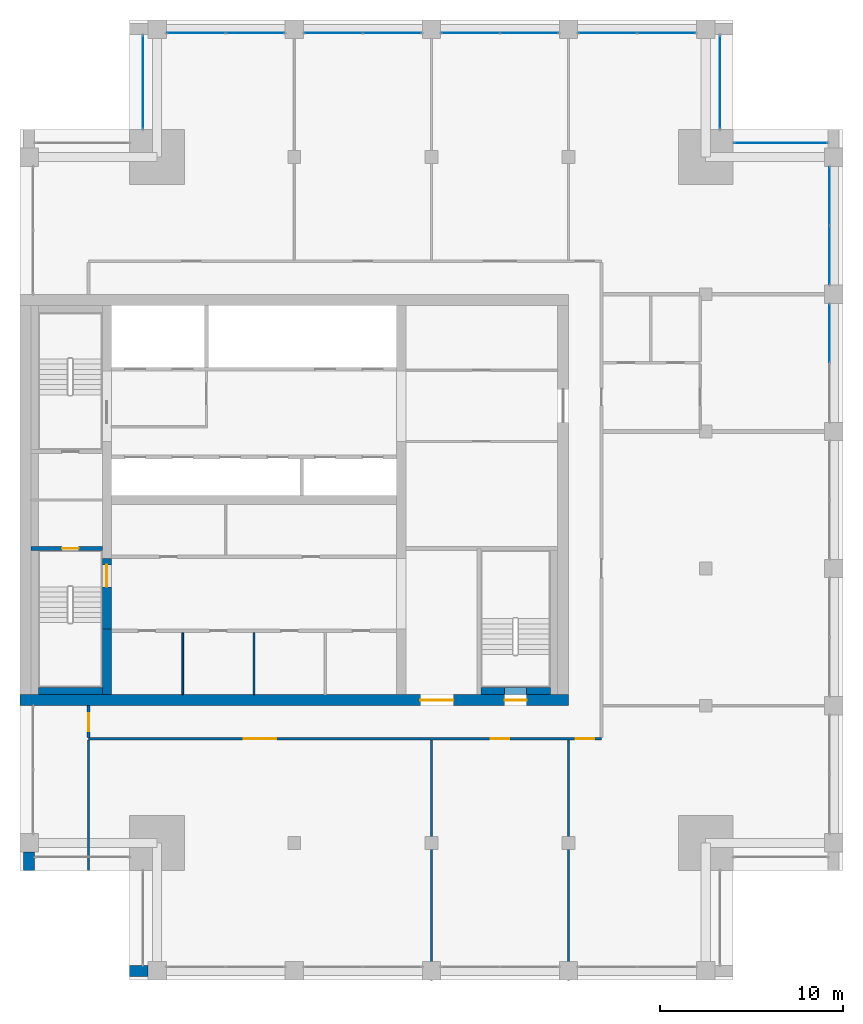
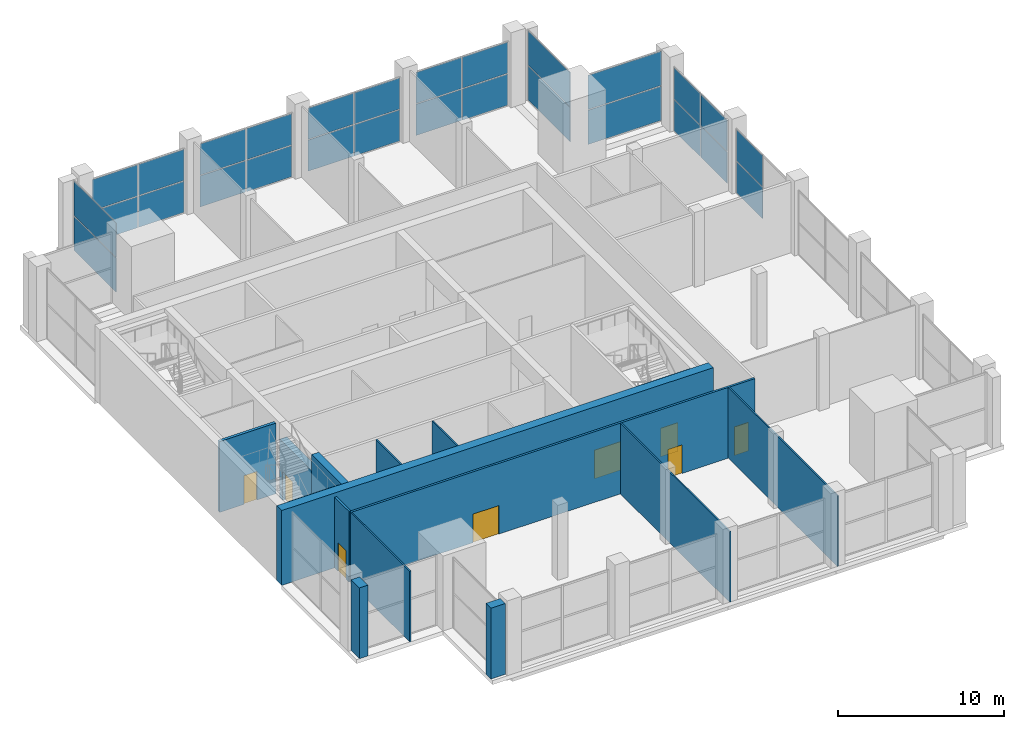
# One storey, part 8 of 15: 28 plates, 17 walls, 8 doors, 8 openings, 9 elements without a shape of their own.
"""IFC4 building model written with IfcOpenShell, lengths in metres."""

from ifc_helpers import new_model, si_unit, direction, frame, frame_2d, origin, origin_2d, place, context, subcontext, project, spatial, rectangle, extrude, material, layer, layer_set, type_object, element, fill, aggregate, save


model = new_model("IFC4")

# Units and contexts
model_context = context("Model", 3, precision=1e-05, world=origin(), true_north=direction((0.0, 1.0)))
body_context = subcontext(model_context, "Body", "Model", "MODEL_VIEW")
ifc_project = project(units=[si_unit("LENGTHUNIT", "METRE"), si_unit("AREAUNIT", "SQUARE_METRE"), si_unit("VOLUMEUNIT", "CUBIC_METRE"), si_unit("PLANEANGLEUNIT", "RADIAN"), si_unit("MASSUNIT", "GRAM", prefix="KILO")], contexts=[model_context])

# Site, building, storey
site_placement = place(None, origin())
site = spatial("IfcSite", under=ifc_project, at=site_placement, CompositionType="ELEMENT")
building_placement = place(site_placement, origin())
building = spatial("IfcBuilding", under=site, at=building_placement, Name="Tamorin Gate", CompositionType="ELEMENT")
storey_placement = place(building_placement, frame((0.0, 0.0, 292.199951171875)))
storey = spatial("IfcBuildingStorey", under=building, at=storey_placement, Name="L73", CompositionType="ELEMENT", Elevation=292.199951171875)

# Curtain wall, plates
ifc_material_1 = material(Name="Aluminium mullions and transoms with clear glass", Category="aluminium")
ifc_layer_1 = layer(ifc_material_1, 0.159912109375)
ifc_layer_set_1 = layer_set([ifc_layer_1], Name="Curtain wall system CW3")
curtain_wall_type = type_object("IfcCurtainWallType", Name="Curtain wall system CW3", PredefinedType="NOTDEFINED", material=ifc_layer_set_1)
curtain_wall_1_placement = place(storey_placement, origin())
curtain_wall_1 = element("IfcCurtainWall", 1, at=curtain_wall_1_placement, inside=storey, type_object=curtain_wall_type, Name="Curtain wall", PredefinedType="NOTDEFINED")
ifc_material_2 = material(Name="Clear glass", Category="glass")
ifc_layer_2 = layer(ifc_material_2, 0.028076171875)
ifc_layer_set_2 = layer_set([ifc_layer_2], Name="Clear glass panel IGU 28")
plate_type = type_object("IfcPlateType", Name="Clear glass panel IGU 28", PredefinedType="CURTAIN_PANEL", material=ifc_layer_set_2)
plate_1_placement = place(storey_placement, frame((74.280029296875, 80.360107421875, 0.06005859375), z_axis=(0.0, 0.0, 1.0), x_axis=(0.0, 1.0, 0.0)))
plate_1 = element("IfcPlate", 2, at=plate_1_placement, type_object=plate_type, Name="CW3 panel 2.1", PredefinedType="CURTAIN_PANEL", context=body_context, shape_type="SweptSolid", body=[
    extrude(rectangle(XDim=3.159912109375, YDim=0.028076171875, at=origin_2d()), origin(), (0.0, 0.0, 1.0), 2.284912109375),
])
plate_2_placement = place(storey_placement, frame((74.280029296875, 80.360107421875, 2.4052734375), z_axis=(0.0, 0.0, 1.0), x_axis=(0.0, 1.0, 0.0)))
plate_2 = element("IfcPlate", 3, at=plate_2_placement, type_object=plate_type, Name="CW3 panel 2.2", PredefinedType="CURTAIN_PANEL", context=body_context, shape_type="SweptSolid", body=[
    extrude(rectangle(XDim=3.159912109375, YDim=0.028076171875, at=origin_2d()), origin(), (0.0, 0.0, 1.0), 2.284912109375),
])
aggregate(curtain_wall_1, [plate_1, plate_2])

curtain_wall_2_placement = place(storey_placement, origin())
curtain_wall_2 = element("IfcCurtainWall", 4, at=curtain_wall_2_placement, inside=storey, type_object=curtain_wall_type, Name="Curtain wall", PredefinedType="NOTDEFINED")
plate_3_placement = place(storey_placement, frame((74.280029296875, 84.639892578125, 0.06005859375), z_axis=(0.0, 0.0, 1.0), x_axis=(0.0, 1.0, 0.0)))
plate_3 = element("IfcPlate", 5, at=plate_3_placement, type_object=plate_type, Name="CW3 panel 1.1", PredefinedType="CURTAIN_PANEL", context=body_context, shape_type="SweptSolid", body=[
    extrude(rectangle(XDim=3.159912109375, YDim=0.028076171875, at=origin_2d()), origin(), (0.0, 0.0, 1.0), 2.284912109375),
])
plate_4_placement = place(storey_placement, frame((74.280029296875, 84.639892578125, 2.4052734375), z_axis=(0.0, 0.0, 1.0), x_axis=(0.0, 1.0, 0.0)))
plate_4 = element("IfcPlate", 6, at=plate_4_placement, type_object=plate_type, Name="CW3 panel 1.2", PredefinedType="CURTAIN_PANEL", context=body_context, shape_type="SweptSolid", body=[
    extrude(rectangle(XDim=3.159912109375, YDim=0.028076171875, at=origin_2d()), origin(), (0.0, 0.0, 1.0), 2.284912109375),
])
plate_5_placement = place(storey_placement, frame((74.280029296875, 87.860107421875, 0.06005859375), z_axis=(0.0, 0.0, 1.0), x_axis=(0.0, 1.0, 0.0)))
plate_5 = element("IfcPlate", 7, at=plate_5_placement, type_object=plate_type, Name="CW3 panel 2.1", PredefinedType="CURTAIN_PANEL", context=body_context, shape_type="SweptSolid", body=[
    extrude(rectangle(XDim=3.159912109375, YDim=0.028076171875, at=origin_2d()), origin(), (0.0, 0.0, 1.0), 2.284912109375),
])
plate_6_placement = place(storey_placement, frame((74.280029296875, 87.860107421875, 2.4052734375), z_axis=(0.0, 0.0, 1.0), x_axis=(0.0, 1.0, 0.0)))
plate_6 = element("IfcPlate", 8, at=plate_6_placement, type_object=plate_type, Name="CW3 panel 2.2", PredefinedType="CURTAIN_PANEL", context=body_context, shape_type="SweptSolid", body=[
    extrude(rectangle(XDim=3.159912109375, YDim=0.028076171875, at=origin_2d()), origin(), (0.0, 0.0, 1.0), 2.284912109375),
])
aggregate(curtain_wall_2, [plate_3, plate_4, plate_5, plate_6])

curtain_wall_3_placement = place(storey_placement, origin())
curtain_wall_3 = element("IfcCurtainWall", 9, at=curtain_wall_3_placement, inside=storey, type_object=curtain_wall_type, Name="Curtain wall", PredefinedType="NOTDEFINED")
plate_7_placement = place(storey_placement, frame((71.60009765625, 90.780029296875, 0.06005859375), z_axis=(0.0, 0.0, 1.0), x_axis=(-1.0, 0.0, 0.0)))
plate_7 = element("IfcPlate", 10, at=plate_7_placement, type_object=plate_type, Name="CW3 panel 1.1", PredefinedType="CURTAIN_PANEL", context=body_context, shape_type="SweptSolid", body=[
    extrude(rectangle(XDim=5.080078125, YDim=0.028076171875, at=origin_2d()), origin(), (0.0, 0.0, 1.0), 2.510009765625),
])
plate_8_placement = place(storey_placement, frame((71.60009765625, 90.780029296875, 2.6298828125), z_axis=(0.0, 0.0, 1.0), x_axis=(-1.0, 0.0, 0.0)))
plate_8 = element("IfcPlate", 11, at=plate_8_placement, type_object=plate_type, Name="CW3 panel 1.2", PredefinedType="CURTAIN_PANEL", context=body_context, shape_type="SweptSolid", body=[
    extrude(rectangle(XDim=5.080078125, YDim=0.028076171875, at=origin_2d()), origin(), (0.0, 0.0, 1.0), 2.510009765625),
])
aggregate(curtain_wall_3, [plate_7, plate_8])

curtain_wall_4_placement = place(storey_placement, origin())
curtain_wall_4 = element("IfcCurtainWall", 12, at=curtain_wall_4_placement, inside=storey, type_object=curtain_wall_type, Name="Curtain wall", PredefinedType="NOTDEFINED")
plate_9_placement = place(storey_placement, frame((68.280029296875, 94.10009765625, 0.06005859375), z_axis=(0.0, 0.0, 1.0), x_axis=(0.0, 1.0, 0.0)))
plate_9 = element("IfcPlate", 13, at=plate_9_placement, type_object=plate_type, Name="CW3 panel 1.1", PredefinedType="CURTAIN_PANEL", context=body_context, shape_type="SweptSolid", body=[
    extrude(rectangle(XDim=5.080078125, YDim=0.028076171875, at=origin_2d()), origin(), (0.0, 0.0, 1.0), 2.510009765625),
])
plate_10_placement = place(storey_placement, frame((68.280029296875, 94.10009765625, 2.6298828125), z_axis=(0.0, 0.0, 1.0), x_axis=(0.0, 1.0, 0.0)))
plate_10 = element("IfcPlate", 14, at=plate_10_placement, type_object=plate_type, Name="CW3 panel 1.2", PredefinedType="CURTAIN_PANEL", context=body_context, shape_type="SweptSolid", body=[
    extrude(rectangle(XDim=5.080078125, YDim=0.028076171875, at=origin_2d()), origin(), (0.0, 0.0, 1.0), 2.510009765625),
])
aggregate(curtain_wall_4, [plate_9, plate_10])

curtain_wall_5_placement = place(storey_placement, origin())
curtain_wall_5 = element("IfcCurtainWall", 15, at=curtain_wall_5_placement, inside=storey, type_object=curtain_wall_type, Name="Curtain wall", PredefinedType="NOTDEFINED")
plate_11_placement = place(storey_placement, frame((65.360107421875, 96.780029296875, 0.06005859375), z_axis=(0.0, 0.0, 1.0), x_axis=(-1.0, 0.0, 0.0)))
plate_11 = element("IfcPlate", 16, at=plate_11_placement, type_object=plate_type, Name="CW3 panel 1.1", PredefinedType="CURTAIN_PANEL", context=body_context, shape_type="SweptSolid", body=[
    extrude(rectangle(XDim=3.159912109375, YDim=0.028076171875, at=origin_2d()), origin(), (0.0, 0.0, 1.0), 2.284912109375),
])
plate_12_placement = place(storey_placement, frame((65.360107421875, 96.780029296875, 2.4052734375), z_axis=(0.0, 0.0, 1.0), x_axis=(-1.0, 0.0, 0.0)))
plate_12 = element("IfcPlate", 17, at=plate_12_placement, type_object=plate_type, Name="CW3 panel 1.2", PredefinedType="CURTAIN_PANEL", context=body_context, shape_type="SweptSolid", body=[
    extrude(rectangle(XDim=3.159912109375, YDim=0.028076171875, at=origin_2d()), origin(), (0.0, 0.0, 1.0), 2.284912109375),
])
plate_13_placement = place(storey_placement, frame((62.139892578125, 96.780029296875, 0.06005859375), z_axis=(0.0, 0.0, 1.0), x_axis=(-1.0, 0.0, 0.0)))
plate_13 = element("IfcPlate", 18, at=plate_13_placement, type_object=plate_type, Name="CW3 panel 2.1", PredefinedType="CURTAIN_PANEL", context=body_context, shape_type="SweptSolid", body=[
    extrude(rectangle(XDim=3.159912109375, YDim=0.028076171875, at=origin_2d()), origin(), (0.0, 0.0, 1.0), 2.284912109375),
])
plate_14_placement = place(storey_placement, frame((62.139892578125, 96.780029296875, 2.4052734375), z_axis=(0.0, 0.0, 1.0), x_axis=(-1.0, 0.0, 0.0)))
plate_14 = element("IfcPlate", 19, at=plate_14_placement, type_object=plate_type, Name="CW3 panel 2.2", PredefinedType="CURTAIN_PANEL", context=body_context, shape_type="SweptSolid", body=[
    extrude(rectangle(XDim=3.159912109375, YDim=0.028076171875, at=origin_2d()), origin(), (0.0, 0.0, 1.0), 2.284912109375),
])
aggregate(curtain_wall_5, [plate_11, plate_12, plate_13, plate_14])

curtain_wall_6_placement = place(storey_placement, origin())
curtain_wall_6 = element("IfcCurtainWall", 20, at=curtain_wall_6_placement, inside=storey, type_object=curtain_wall_type, Name="Curtain wall", PredefinedType="NOTDEFINED")
plate_15_placement = place(storey_placement, frame((57.860107421875, 96.780029296875, 0.06005859375), z_axis=(0.0, 0.0, 1.0), x_axis=(-1.0, 0.0, 0.0)))
plate_15 = element("IfcPlate", 21, at=plate_15_placement, type_object=plate_type, Name="CW3 panel 1.1", PredefinedType="CURTAIN_PANEL", context=body_context, shape_type="SweptSolid", body=[
    extrude(rectangle(XDim=3.159912109375, YDim=0.028076171875, at=origin_2d()), origin(), (0.0, 0.0, 1.0), 2.284912109375),
])
plate_16_placement = place(storey_placement, frame((57.860107421875, 96.780029296875, 2.4052734375), z_axis=(0.0, 0.0, 1.0), x_axis=(-1.0, 0.0, 0.0)))
plate_16 = element("IfcPlate", 22, at=plate_16_placement, type_object=plate_type, Name="CW3 panel 1.2", PredefinedType="CURTAIN_PANEL", context=body_context, shape_type="SweptSolid", body=[
    extrude(rectangle(XDim=3.159912109375, YDim=0.028076171875, at=origin_2d()), origin(), (0.0, 0.0, 1.0), 2.284912109375),
])
plate_17_placement = place(storey_placement, frame((54.639892578125, 96.780029296875, 0.06005859375), z_axis=(0.0, 0.0, 1.0), x_axis=(-1.0, 0.0, 0.0)))
plate_17 = element("IfcPlate", 23, at=plate_17_placement, type_object=plate_type, Name="CW3 panel 2.1", PredefinedType="CURTAIN_PANEL", context=body_context, shape_type="SweptSolid", body=[
    extrude(rectangle(XDim=3.159912109375, YDim=0.028076171875, at=origin_2d()), origin(), (0.0, 0.0, 1.0), 2.284912109375),
])
plate_18_placement = place(storey_placement, frame((54.639892578125, 96.780029296875, 2.4052734375), z_axis=(0.0, 0.0, 1.0), x_axis=(-1.0, 0.0, 0.0)))
plate_18 = element("IfcPlate", 24, at=plate_18_placement, type_object=plate_type, Name="CW3 panel 2.2", PredefinedType="CURTAIN_PANEL", context=body_context, shape_type="SweptSolid", body=[
    extrude(rectangle(XDim=3.159912109375, YDim=0.028076171875, at=origin_2d()), origin(), (0.0, 0.0, 1.0), 2.284912109375),
])
aggregate(curtain_wall_6, [plate_15, plate_16, plate_17, plate_18])

curtain_wall_7_placement = place(storey_placement, origin())
curtain_wall_7 = element("IfcCurtainWall", 25, at=curtain_wall_7_placement, inside=storey, type_object=curtain_wall_type, Name="Curtain wall", PredefinedType="NOTDEFINED")
plate_19_placement = place(storey_placement, frame((50.360107421875, 96.780029296875, 0.06005859375), z_axis=(0.0, 0.0, 1.0), x_axis=(-1.0, 0.0, 0.0)))
plate_19 = element("IfcPlate", 26, at=plate_19_placement, type_object=plate_type, Name="CW3 panel 1.1", PredefinedType="CURTAIN_PANEL", context=body_context, shape_type="SweptSolid", body=[
    extrude(rectangle(XDim=3.159912109375, YDim=0.028076171875, at=origin_2d()), origin(), (0.0, 0.0, 1.0), 2.284912109375),
])
plate_20_placement = place(storey_placement, frame((50.360107421875, 96.780029296875, 2.4052734375), z_axis=(0.0, 0.0, 1.0), x_axis=(-1.0, 0.0, 0.0)))
plate_20 = element("IfcPlate", 27, at=plate_20_placement, type_object=plate_type, Name="CW3 panel 1.2", PredefinedType="CURTAIN_PANEL", context=body_context, shape_type="SweptSolid", body=[
    extrude(rectangle(XDim=3.159912109375, YDim=0.028076171875, at=origin_2d()), origin(), (0.0, 0.0, 1.0), 2.284912109375),
])
plate_21_placement = place(storey_placement, frame((47.139892578125, 96.780029296875, 0.06005859375), z_axis=(0.0, 0.0, 1.0), x_axis=(-1.0, 0.0, 0.0)))
plate_21 = element("IfcPlate", 28, at=plate_21_placement, type_object=plate_type, Name="CW3 panel 2.1", PredefinedType="CURTAIN_PANEL", context=body_context, shape_type="SweptSolid", body=[
    extrude(rectangle(XDim=3.159912109375, YDim=0.028076171875, at=origin_2d()), origin(), (0.0, 0.0, 1.0), 2.284912109375),
])
plate_22_placement = place(storey_placement, frame((47.139892578125, 96.780029296875, 2.4052734375), z_axis=(0.0, 0.0, 1.0), x_axis=(-1.0, 0.0, 0.0)))
plate_22 = element("IfcPlate", 29, at=plate_22_placement, type_object=plate_type, Name="CW3 panel 2.2", PredefinedType="CURTAIN_PANEL", context=body_context, shape_type="SweptSolid", body=[
    extrude(rectangle(XDim=3.159912109375, YDim=0.028076171875, at=origin_2d()), origin(), (0.0, 0.0, 1.0), 2.284912109375),
])
aggregate(curtain_wall_7, [plate_19, plate_20, plate_21, plate_22])

curtain_wall_8_placement = place(storey_placement, origin())
curtain_wall_8 = element("IfcCurtainWall", 30, at=curtain_wall_8_placement, inside=storey, type_object=curtain_wall_type, Name="Curtain wall", PredefinedType="NOTDEFINED")
plate_23_placement = place(storey_placement, frame((42.860107421875, 96.780029296875, 0.06005859375), z_axis=(0.0, 0.0, 1.0), x_axis=(-1.0, 0.0, 0.0)))
plate_23 = element("IfcPlate", 31, at=plate_23_placement, type_object=plate_type, Name="CW3 panel 1.1", PredefinedType="CURTAIN_PANEL", context=body_context, shape_type="SweptSolid", body=[
    extrude(rectangle(XDim=3.159912109375, YDim=0.028076171875, at=origin_2d()), origin(), (0.0, 0.0, 1.0), 2.284912109375),
])
plate_24_placement = place(storey_placement, frame((42.860107421875, 96.780029296875, 2.4052734375), z_axis=(0.0, 0.0, 1.0), x_axis=(-1.0, 0.0, 0.0)))
plate_24 = element("IfcPlate", 32, at=plate_24_placement, type_object=plate_type, Name="CW3 panel 1.2", PredefinedType="CURTAIN_PANEL", context=body_context, shape_type="SweptSolid", body=[
    extrude(rectangle(XDim=3.159912109375, YDim=0.028076171875, at=origin_2d()), origin(), (0.0, 0.0, 1.0), 2.284912109375),
])
plate_25_placement = place(storey_placement, frame((39.639892578125, 96.780029296875, 0.06005859375), z_axis=(0.0, 0.0, 1.0), x_axis=(-1.0, 0.0, 0.0)))
plate_25 = element("IfcPlate", 33, at=plate_25_placement, type_object=plate_type, Name="CW3 panel 2.1", PredefinedType="CURTAIN_PANEL", context=body_context, shape_type="SweptSolid", body=[
    extrude(rectangle(XDim=3.159912109375, YDim=0.028076171875, at=origin_2d()), origin(), (0.0, 0.0, 1.0), 2.284912109375),
])
plate_26_placement = place(storey_placement, frame((39.639892578125, 96.780029296875, 2.4052734375), z_axis=(0.0, 0.0, 1.0), x_axis=(-1.0, 0.0, 0.0)))
plate_26 = element("IfcPlate", 34, at=plate_26_placement, type_object=plate_type, Name="CW3 panel 2.2", PredefinedType="CURTAIN_PANEL", context=body_context, shape_type="SweptSolid", body=[
    extrude(rectangle(XDim=3.159912109375, YDim=0.028076171875, at=origin_2d()), origin(), (0.0, 0.0, 1.0), 2.284912109375),
])
aggregate(curtain_wall_8, [plate_23, plate_24, plate_25, plate_26])

curtain_wall_9_placement = place(storey_placement, origin())
curtain_wall_9 = element("IfcCurtainWall", 35, at=curtain_wall_9_placement, inside=storey, type_object=curtain_wall_type, Name="Curtain wall", PredefinedType="NOTDEFINED")
plate_27_placement = place(storey_placement, frame((36.719970703125, 94.10009765625, 0.06005859375), z_axis=(0.0, 0.0, 1.0), x_axis=(0.0, -1.0, 0.0)))
plate_27 = element("IfcPlate", 36, at=plate_27_placement, type_object=plate_type, Name="CW3 panel 1.1", PredefinedType="CURTAIN_PANEL", context=body_context, shape_type="SweptSolid", body=[
    extrude(rectangle(XDim=5.080078125, YDim=0.028076171875, at=origin_2d()), origin(), (0.0, 0.0, 1.0), 2.510009765625),
])
plate_28_placement = place(storey_placement, frame((36.719970703125, 94.10009765625, 2.6298828125), z_axis=(0.0, 0.0, 1.0), x_axis=(0.0, -1.0, 0.0)))
plate_28 = element("IfcPlate", 37, at=plate_28_placement, type_object=plate_type, Name="CW3 panel 1.2", PredefinedType="CURTAIN_PANEL", context=body_context, shape_type="SweptSolid", body=[
    extrude(rectangle(XDim=5.080078125, YDim=0.028076171875, at=origin_2d()), origin(), (0.0, 0.0, 1.0), 2.510009765625),
])
aggregate(curtain_wall_9, [plate_27, plate_28])

# Walls
ifc_material_3 = material(Name="Precast concrete C40/50", Category="concrete")
ifc_layer_3 = layer(ifc_material_3, 0.60009765625)
ifc_layer_set_3 = layer_set([ifc_layer_3], Name="Precast concrete C40/50")
wall_type_1 = type_object("IfcWallType", Name="Board-marked concrete facade panel 600", PredefinedType="SOLIDWALL", material=ifc_layer_set_3)
for number, where, z_axis, x_axis, name in (
    (38, (36.0, 45.5, 0.0), (0.0, 0.0, 1.0), (1.0, 0.0, 0.0), "Facade panel"),
    (39, (30.5, 52.0, 0.0), (0.0, 0.0, 1.0), (0.0, -1.0, 0.0), "Facade panel"),
):
    element("IfcWall", number, at=place(storey_placement, frame(where, z_axis=z_axis, x_axis=x_axis)), inside=storey, type_object=wall_type_1, Name=name, PredefinedType="SOLIDWALL", context=body_context, shape_type="SweptSolid", body=[
        extrude(rectangle(XDim=1.0, YDim=0.60009765625, at=frame_2d((0.5, 0.0))), origin(), (0.0, 0.0, 1.0), 5.199951171875),
    ])

# Wall, openings, doors
ifc_material_4 = material(Name="Gypsum board partition")
ifc_layer_4 = layer(ifc_material_4, 0.14990234375)
ifc_layer_set_4 = layer_set([ifc_layer_4], Name="Corridor wall 150")
wall_type_2 = type_object("IfcWallType", Name="Corridor wall 150", PredefinedType="PARTITIONING", material=ifc_layer_set_4)
wall_1_placement = place(storey_placement, frame((33.75, 58.199951171875, 0.0), z_axis=(0.0, 0.0, 1.0), x_axis=(1.0, 0.0, 0.0)))
wall_1 = element("IfcWall", 40, at=wall_1_placement, inside=storey, type_object=wall_type_2, Name="Corridor wall 150", PredefinedType="PARTITIONING", context=body_context, shape_type="SweptSolid", body=[
    extrude(rectangle(XDim=28.050048828125, YDim=0.14990234375, at=frame_2d((14.02490234375, 0.0))), origin(), (0.0, 0.0, 1.0), 5.199951171875),
])
opening_1_placement = place(wall_1_placement, frame((8.47509765625, 0.0, 0.0)))
opening_1 = element("IfcOpeningElement", 41, at=opening_1_placement, cuts=wall_1, Name="Opening DSR1002", PredefinedType="OPENING", context=body_context, shape_type="SweptSolid", body=[
    extrude(rectangle(XDim=1.800048828125, YDim=2.10009765625, at=frame_2d((0.89990234375, 1.050048828125))), frame((0.0, 0.0849609375, 0.0), z_axis=(0.0, -1.0, 0.0), x_axis=(1.0, 0.0, 0.0)), (0.0, 0.0, 1.0), 0.169921875),
])
opening_2_placement = place(wall_1_placement, frame((22.0, 0.0, 0.0)))
opening_2 = element("IfcOpeningElement", 42, at=opening_2_placement, cuts=wall_1, Name="Opening DSR1003", PredefinedType="OPENING", context=body_context, shape_type="SweptSolid", body=[
    extrude(rectangle(XDim=1.0, YDim=2.10009765625, at=frame_2d((0.5, 1.050048828125))), frame((0.0, 0.0849609375, 0.0), z_axis=(0.0, -1.0, 0.0), x_axis=(1.0, 0.0, 0.0)), (0.0, 0.0, 1.0), 0.169921875),
])
opening_3_placement = place(wall_1_placement, frame((26.64990234375, 0.0, 0.0)))
opening_3 = element("IfcOpeningElement", 43, at=opening_3_placement, cuts=wall_1, Name="Opening DSR1004", PredefinedType="OPENING", context=body_context, shape_type="SweptSolid", body=[
    extrude(rectangle(XDim=1.0, YDim=2.10009765625, at=frame_2d((0.5, 1.050048828125))), frame((0.0, 0.0849609375, 0.0), z_axis=(0.0, -1.0, 0.0), x_axis=(1.0, 0.0, 0.0)), (0.0, 0.0, 1.0), 0.169921875),
])
ifc_material_5 = material(Name="Timber door leaf", Category="wood")
door_type_1 = type_object("IfcDoorType", Name="Door 1000 x 2100 FD30S", OperationType="NOTDEFINED", PredefinedType="DOOR", material=ifc_material_5)
door_1_placement = place(opening_2_placement, origin())
door_1 = element("IfcDoor", 44, at=door_1_placement, inside=storey, type_object=door_type_1, Name="Door DSR1003", OperationType="SINGLE_SWING_RIGHT", OverallHeight=2.10009765625, OverallWidth=1.0, PredefinedType="DOOR", context=body_context, shape_type="SweptSolid", body=[
    extrude(rectangle(XDim=1.0, YDim=2.10009765625, at=frame_2d((0.5, 1.050048828125))), frame((0.0, 0.02490234375, 0.0), z_axis=(0.0, -1.0, 0.0), x_axis=(1.0, 0.0, 0.0)), (0.0, 0.0, 1.0), 0.050048828125),
])
fill(opening_2, door_1)
door_2_placement = place(opening_3_placement, origin())
door_2 = element("IfcDoor", 45, at=door_2_placement, inside=storey, type_object=door_type_1, Name="Door DSR1004", OperationType="SINGLE_SWING_RIGHT", OverallHeight=2.10009765625, OverallWidth=1.0, PredefinedType="DOOR", context=body_context, shape_type="SweptSolid", body=[
    extrude(rectangle(XDim=1.0, YDim=2.10009765625, at=frame_2d((0.5, 1.050048828125))), frame((0.0, 0.02490234375, 0.0), z_axis=(0.0, -1.0, 0.0), x_axis=(1.0, 0.0, 0.0)), (0.0, 0.0, 1.0), 0.050048828125),
])
fill(opening_3, door_2)
door_type_2 = type_object("IfcDoorType", Name="Door 1800 x 2100 FD30S", OperationType="DOUBLE_DOOR_SINGLE_SWING", PredefinedType="DOOR", material=ifc_material_5)
door_3_placement = place(opening_1_placement, origin())
door_3 = element("IfcDoor", 46, at=door_3_placement, inside=storey, type_object=door_type_2, Name="Door DSR1002", OperationType="DOUBLE_DOOR_SINGLE_SWING", OverallHeight=2.10009765625, OverallWidth=1.800048828125, PredefinedType="DOOR", context=body_context, shape_type="SweptSolid", body=[
    extrude(rectangle(XDim=1.800048828125, YDim=2.10009765625, at=frame_2d((0.89990234375, 1.050048828125))), frame((0.0, 0.02490234375, 0.0), z_axis=(0.0, -1.0, 0.0), x_axis=(1.0, 0.0, 0.0)), (0.0, 0.0, 1.0), 0.050048828125),
])
fill(opening_1, door_3)

# Wall, opening, door
wall_2_placement = place(storey_placement, frame((33.75, 58.27490234375, 0.0), z_axis=(0.0, 0.0, 1.0), x_axis=(0.0, 1.0, 0.0)))
wall_2 = element("IfcWall", 47, at=wall_2_placement, inside=storey, type_object=wall_type_2, Name="Corridor wall 150", PredefinedType="PARTITIONING", context=body_context, shape_type="SweptSolid", body=[
    extrude(rectangle(XDim=1.72509765625, YDim=0.14990234375, at=frame_2d((0.862548828125, 0.0))), origin(), (0.0, 0.0, 1.0), 5.199951171875),
])
opening_4_placement = place(wall_2_placement, frame((0.324951171875, 0.0, 0.0)))
opening_4 = element("IfcOpeningElement", 48, at=opening_4_placement, cuts=wall_2, Name="Opening DSR1001", PredefinedType="OPENING", context=body_context, shape_type="SweptSolid", body=[
    extrude(rectangle(XDim=1.0, YDim=2.10009765625, at=frame_2d((0.5, 1.050048828125))), frame((0.0, 0.0849609375, 0.0), z_axis=(0.0, -1.0, 0.0), x_axis=(1.0, 0.0, 0.0)), (0.0, 0.0, 1.0), 0.169921875),
])
door_4_placement = place(opening_4_placement, origin())
door_4 = element("IfcDoor", 49, at=door_4_placement, inside=storey, type_object=door_type_1, Name="Door DSR1001", OperationType="SINGLE_SWING_RIGHT", OverallHeight=2.10009765625, OverallWidth=1.0, PredefinedType="DOOR", context=body_context, shape_type="SweptSolid", body=[
    extrude(rectangle(XDim=1.0, YDim=2.10009765625, at=frame_2d((0.5, 1.050048828125))), frame((0.0, 0.02490234375, 0.0), z_axis=(0.0, -1.0, 0.0), x_axis=(1.0, 0.0, 0.0)), (0.0, 0.0, 1.0), 0.050048828125),
])
fill(opening_4, door_4)

# Wall
ifc_material_6 = material(Name="Concrete C50/60", Category="concrete")
ifc_layer_5 = layer(ifc_material_6, 0.5)
ifc_layer_set_5 = layer_set([ifc_layer_5], Name="RC core internal wall 500 C50/60")
wall_type_3 = type_object("IfcWallType", Name="RC core internal wall 500 C50/60", PredefinedType="SHEAR", material=ifc_layer_set_5)
wall_3_placement = place(storey_placement, frame((34.75, 60.60009765625, 0.0), z_axis=(0.0, 0.0, 1.0), x_axis=(0.0, 1.0, 0.0)))
element("IfcWall", 50, at=wall_3_placement, inside=storey, type_object=wall_type_3, Name="Core cross wall L73", PredefinedType="SHEAR", context=body_context, shape_type="SweptSolid", body=[
    extrude(rectangle(XDim=3.599853515625, YDim=0.5, at=frame_2d((1.7998046875, 0.0))), origin(), (0.0, 0.0, 1.0), 5.5),
])

# Wall, openings, doors
ifc_layer_6 = layer(ifc_material_6, 0.60009765625)
ifc_layer_set_6 = layer_set([ifc_layer_6], Name="RC core wall 600 C50/60")
wall_type_4 = type_object("IfcWallType", Name="RC core wall 600 C50/60", PredefinedType="SHEAR", material=ifc_layer_set_6)
wall_4_placement = place(storey_placement, frame((30.0, 60.300048828125, 0.0), z_axis=(0.0, 0.0, 1.0), x_axis=(1.0, 0.0, 0.0)))
wall_4 = element("IfcWall", 51, at=wall_4_placement, inside=storey, type_object=wall_type_4, Name="Core wall L73", PredefinedType="SHEAR", context=body_context, shape_type="SweptSolid", body=[
    extrude(rectangle(XDim=30.0, YDim=0.60009765625, at=frame_2d((15.0, 0.0))), origin(), (0.0, 0.0, 1.0), 5.5),
])
opening_5_placement = place(wall_4_placement, frame((21.89990234375, 0.0, 0.0)))
opening_5 = element("IfcOpeningElement", 52, at=opening_5_placement, cuts=wall_4, Name="Opening DE1", PredefinedType="OPENING", context=body_context, shape_type="SweptSolid", body=[
    extrude(rectangle(XDim=1.800048828125, YDim=2.10009765625, at=frame_2d((0.89990234375, 1.050048828125))), frame((0.0, 0.31005859375, 0.0), z_axis=(0.0, -1.0, 0.0), x_axis=(1.0, 0.0, 0.0)), (0.0, 0.0, 1.0), 0.6201171875),
])
opening_6_placement = place(wall_4_placement, frame((26.5, 0.0, 0.0)))
opening_6 = element("IfcOpeningElement", 53, at=opening_6_placement, cuts=wall_4, Name="Opening DS1", PredefinedType="OPENING", context=body_context, shape_type="SweptSolid", body=[
    extrude(rectangle(XDim=1.199951171875, YDim=2.10009765625, at=frame_2d((0.60009765625, 1.050048828125))), frame((0.0, 0.31005859375, 0.0), z_axis=(0.0, -1.0, 0.0), x_axis=(1.0, 0.0, 0.0)), (0.0, 0.0, 1.0), 0.6201171875),
])
ifc_material_7 = material(Name="Steel fire door", Category="steel")
door_type_3 = type_object("IfcDoorType", Name="Lobby exit double door 1800 x 2100 EI 60", OperationType="DOUBLE_DOOR_SINGLE_SWING", PredefinedType="DOOR", material=ifc_material_7)
door_5_placement = place(opening_5_placement, origin())
door_5 = element("IfcDoor", 54, at=door_5_placement, inside=storey, type_object=door_type_3, Name="Lift lobby A exit door", OperationType="DOUBLE_DOOR_SINGLE_SWING", OverallHeight=2.10009765625, OverallWidth=1.800048828125, PredefinedType="DOOR", context=body_context, shape_type="SweptSolid", body=[
    extrude(rectangle(XDim=1.800048828125, YDim=2.10009765625, at=frame_2d((0.89990234375, 1.050048828125))), frame((0.0, 0.02490234375, 0.0), z_axis=(0.0, -1.0, 0.0), x_axis=(1.0, 0.0, 0.0)), (0.0, 0.0, 1.0), 0.050048828125),
])
fill(opening_5, door_5)
door_type_4 = type_object("IfcDoorType", Name="Stair door 1200 x 2100 EI 90", OperationType="SINGLE_SWING_LEFT", PredefinedType="DOOR", material=ifc_material_7)
door_6_placement = place(opening_6_placement, origin())
door_6 = element("IfcDoor", 55, at=door_6_placement, inside=storey, type_object=door_type_4, Name="ST3 door", OperationType="SINGLE_SWING_LEFT", OverallHeight=2.10009765625, OverallWidth=1.199951171875, PredefinedType="DOOR", context=body_context, shape_type="SweptSolid", body=[
    extrude(rectangle(XDim=1.199951171875, YDim=2.10009765625, at=frame_2d((0.60009765625, 1.050048828125))), frame((0.0, 0.02490234375, 0.0), z_axis=(0.0, -1.0, 0.0), x_axis=(1.0, 0.0, 0.0)), (0.0, 0.0, 1.0), 0.050048828125),
])
fill(opening_6, door_6)

# Walls
ifc_layer_7 = layer(ifc_material_4, 0.10009765625)
ifc_layer_set_7 = layer_set([ifc_layer_7], Name="Room partition 100")
wall_type_5 = type_object("IfcWallType", Name="Room partition 100", PredefinedType="PARTITIONING", material=ifc_layer_set_7)
wall_5_placement = place(storey_placement, frame((33.75, 51.0, 0.0), z_axis=(0.0, 0.0, 1.0), x_axis=(0.0, 1.0, 0.0)))
element("IfcWall", 56, at=wall_5_placement, inside=storey, type_object=wall_type_5, Name="Room partition 100", PredefinedType="PARTITIONING", context=body_context, shape_type="SweptSolid", body=[
    extrude(rectangle(XDim=7.125, YDim=0.10009765625, at=frame_2d((3.5625, 0.0))), origin(), (0.0, 0.0, 1.0), 5.199951171875),
])
for number, where, z_axis, x_axis, name in (
    (57, (52.5, 45.0, 0.0), (0.0, 0.0, 1.0), (0.0, 1.0, 0.0), "Room partition 100"),
    (58, (60.0, 45.0, 0.0), (0.0, 0.0, 1.0), (0.0, 1.0, 0.0), "Room partition 100"),
):
    element("IfcWall", number, at=place(storey_placement, frame(where, z_axis=z_axis, x_axis=x_axis)), inside=storey, type_object=wall_type_5, Name=name, PredefinedType="PARTITIONING", context=body_context, shape_type="SweptSolid", body=[
        extrude(rectangle(XDim=13.125, YDim=0.10009765625, at=frame_2d((6.5625, 0.0))), origin(), (0.0, 0.0, 1.0), 5.199951171875),
    ])
ifc_layer_8 = layer(ifc_material_4, 0.10009765625)
ifc_layer_set_8 = layer_set([ifc_layer_8], Name="Service room partition 100 EI 60")
wall_type_6 = type_object("IfcWallType", Name="Service room partition 100 EI 60", PredefinedType="PARTITIONING", material=ifc_layer_set_8)
for number, where, z_axis, x_axis, name in (
    (59, (38.89990234375, 60.60009765625, 0.0), (0.0, 0.0, 1.0), (0.0, 1.0, 0.0), "Service room partition"),
    (60, (42.800048828125, 60.60009765625, 0.0), (0.0, 0.0, 1.0), (0.0, 1.0, 0.0), "Service room partition"),
):
    element("IfcWall", number, at=place(storey_placement, frame(where, z_axis=z_axis, x_axis=x_axis)), inside=storey, type_object=wall_type_6, Name=name, PredefinedType="PARTITIONING", context=body_context, shape_type="SweptSolid", body=[
        extrude(rectangle(XDim=3.39990234375, YDim=0.10009765625, at=frame_2d((1.699951171875, 0.0))), origin(), (0.0, 0.0, 1.0), 5.199951171875),
    ])

# Wall, opening, door
ifc_material_8 = material(Name="Concrete C40/50", Category="concrete")
ifc_layer_9 = layer(ifc_material_8, 0.199951171875)
ifc_layer_set_9 = layer_set([ifc_layer_9], Name="Stair enclosure wall 200 EI 120 C40/50")
wall_type_7 = type_object("IfcWallType", Name="Stair enclosure wall 200 EI 120 C40/50", PredefinedType="SOLIDWALL", material=ifc_layer_set_9)
wall_6_placement = place(storey_placement, frame((30.60009765625, 68.60009765625, 0.0), z_axis=(0.0, 0.0, 1.0), x_axis=(1.0, 0.0, 0.0)))
wall_6 = element("IfcWall", 61, at=wall_6_placement, inside=storey, type_object=wall_type_7, Name="Stair enclosure wall", PredefinedType="SOLIDWALL", context=body_context, shape_type="SweptSolid", body=[
    extrude(rectangle(XDim=3.89990234375, YDim=0.199951171875, at=frame_2d((1.949951171875, 0.0))), origin(), (0.0, 0.0, 1.0), 5.199951171875),
])
opening_7_placement = place(wall_6_placement, frame((1.699951171875, 0.0, 0.0)))
opening_7 = element("IfcOpeningElement", 62, at=opening_7_placement, cuts=wall_6, Name="Opening DR1", PredefinedType="OPENING", context=body_context, shape_type="SweptSolid", body=[
    extrude(rectangle(XDim=0.89990234375, YDim=2.10009765625, at=frame_2d((0.449951171875, 1.050048828125))), frame((0.0, 0.10986328125, 0.0), z_axis=(0.0, -1.0, 0.0), x_axis=(1.0, 0.0, 0.0)), (0.0, 0.0, 1.0), 0.219970703125),
])
door_type_5 = type_object("IfcDoorType", Name="Riser access door 900 x 2100 EI 120", OperationType="SINGLE_SWING_LEFT", PredefinedType="DOOR", material=ifc_material_7)
door_7_placement = place(opening_7_placement, origin())
door_7 = element("IfcDoor", 63, at=door_7_placement, inside=storey, type_object=door_type_5, Name="Electrical riser door", OperationType="SINGLE_SWING_LEFT", OverallHeight=2.10009765625, OverallWidth=0.89990234375, PredefinedType="DOOR", context=body_context, shape_type="SweptSolid", body=[
    extrude(rectangle(XDim=0.89990234375, YDim=2.10009765625, at=frame_2d((0.449951171875, 1.050048828125))), frame((0.0, 0.02490234375, 0.0), z_axis=(0.0, -1.0, 0.0), x_axis=(1.0, 0.0, 0.0)), (0.0, 0.0, 1.0), 0.050048828125),
])
fill(opening_7, door_7)

# Walls
ifc_layer_10 = layer(ifc_material_6, 0.39990234375)
ifc_layer_set_10 = layer_set([ifc_layer_10], Name="Stair lining wall 400 EI 120 C50/60")
wall_type_8 = type_object("IfcWallType", Name="Stair lining wall 400 EI 120 C50/60", PredefinedType="SOLIDWALL", material=ifc_layer_set_10)
wall_7_placement = place(storey_placement, frame((31.0, 60.800048828125, 0.0), z_axis=(0.0, 0.0, 1.0), x_axis=(1.0, 0.0, 0.0)))
element("IfcWall", 64, at=wall_7_placement, inside=storey, type_object=wall_type_8, Name="Stair lining wall", PredefinedType="SOLIDWALL", context=body_context, shape_type="SweptSolid", body=[
    extrude(rectangle(XDim=3.5, YDim=0.39990234375, at=frame_2d((1.75, 0.0))), origin(), (0.0, 0.0, 1.0), 5.199951171875),
])
for number, where, z_axis, x_axis, name in (
    (65, (55.199951171875, 60.800048828125, 0.0), (0.0, 0.0, 1.0), (1.0, 0.0, 0.0), "Stair lining wall"),
    (66, (57.699951171875, 60.800048828125, 0.0), (0.0, 0.0, 1.0), (1.0, 0.0, 0.0), "Stair lining wall"),
):
    element("IfcWall", number, at=place(storey_placement, frame(where, z_axis=z_axis, x_axis=x_axis)), inside=storey, type_object=wall_type_8, Name=name, PredefinedType="SOLIDWALL", context=body_context, shape_type="SweptSolid", body=[
        extrude(rectangle(XDim=1.300048828125, YDim=0.39990234375, at=frame_2d((0.64990234375, 0.0))), origin(), (0.0, 0.0, 1.0), 5.199951171875),
    ])
wall_8_placement = place(storey_placement, frame((56.5, 60.800048828125, 3.199951171875), z_axis=(0.0, 0.0, 1.0), x_axis=(1.0, 0.0, 0.0)))
element("IfcWall", 67, at=wall_8_placement, inside=storey, type_object=wall_type_8, Name="Stair lining wall", PredefinedType="SOLIDWALL", context=body_context, shape_type="SweptSolid", body=[
    extrude(rectangle(XDim=1.199951171875, YDim=0.39990234375, at=frame_2d((0.60009765625, 0.0))), origin(), (0.0, 0.0, 1.0), 2.0),
])

# Wall, opening, door
ifc_material_9 = material(Name="Concrete C32/40", Category="concrete")
ifc_layer_11 = layer(ifc_material_9, 0.5)
ifc_layer_set_11 = layer_set([ifc_layer_11], Name="Stair lobby infill wall 500 EI 120")
wall_type_9 = type_object("IfcWallType", Name="Stair lobby infill wall 500 EI 120", PredefinedType="SOLIDWALL", material=ifc_layer_set_11)
wall_9_placement = place(storey_placement, frame((34.75, 64.199951171875, 0.0), z_axis=(0.0, 0.0, 1.0), x_axis=(0.0, 1.0, 0.0)))
wall_9 = element("IfcWall", 68, at=wall_9_placement, inside=storey, type_object=wall_type_9, Name="Stair lobby infill wall", PredefinedType="SOLIDWALL", context=body_context, shape_type="SweptSolid", body=[
    extrude(rectangle(XDim=3.85009765625, YDim=0.5, at=frame_2d((1.925048828125, 0.0))), origin(), (0.0, 0.0, 1.0), 4.300048828125),
])
opening_8_placement = place(wall_9_placement, frame((2.300048828125, 0.0, 0.0)))
opening_8 = element("IfcOpeningElement", 69, at=opening_8_placement, cuts=wall_9, Name="Opening DS1", PredefinedType="OPENING", context=body_context, shape_type="SweptSolid", body=[
    extrude(rectangle(XDim=1.199951171875, YDim=2.10009765625, at=frame_2d((0.60009765625, 1.050048828125))), frame((0.0, 0.260009765625, 0.0), z_axis=(0.0, -1.0, 0.0), x_axis=(1.0, 0.0, 0.0)), (0.0, 0.0, 1.0), 0.52001953125),
])
door_8_placement = place(opening_8_placement, origin())
door_8 = element("IfcDoor", 70, at=door_8_placement, inside=storey, type_object=door_type_4, Name="ST1 door", OperationType="SINGLE_SWING_LEFT", OverallHeight=2.10009765625, OverallWidth=1.199951171875, PredefinedType="DOOR", context=body_context, shape_type="SweptSolid", body=[
    extrude(rectangle(XDim=1.199951171875, YDim=2.10009765625, at=frame_2d((0.60009765625, 1.050048828125))), frame((0.0, 0.02490234375, 0.0), z_axis=(0.0, -1.0, 0.0), x_axis=(1.0, 0.0, 0.0)), (0.0, 0.0, 1.0), 0.050048828125),
])
fill(opening_8, door_8)

save(model, "model.ifc")
